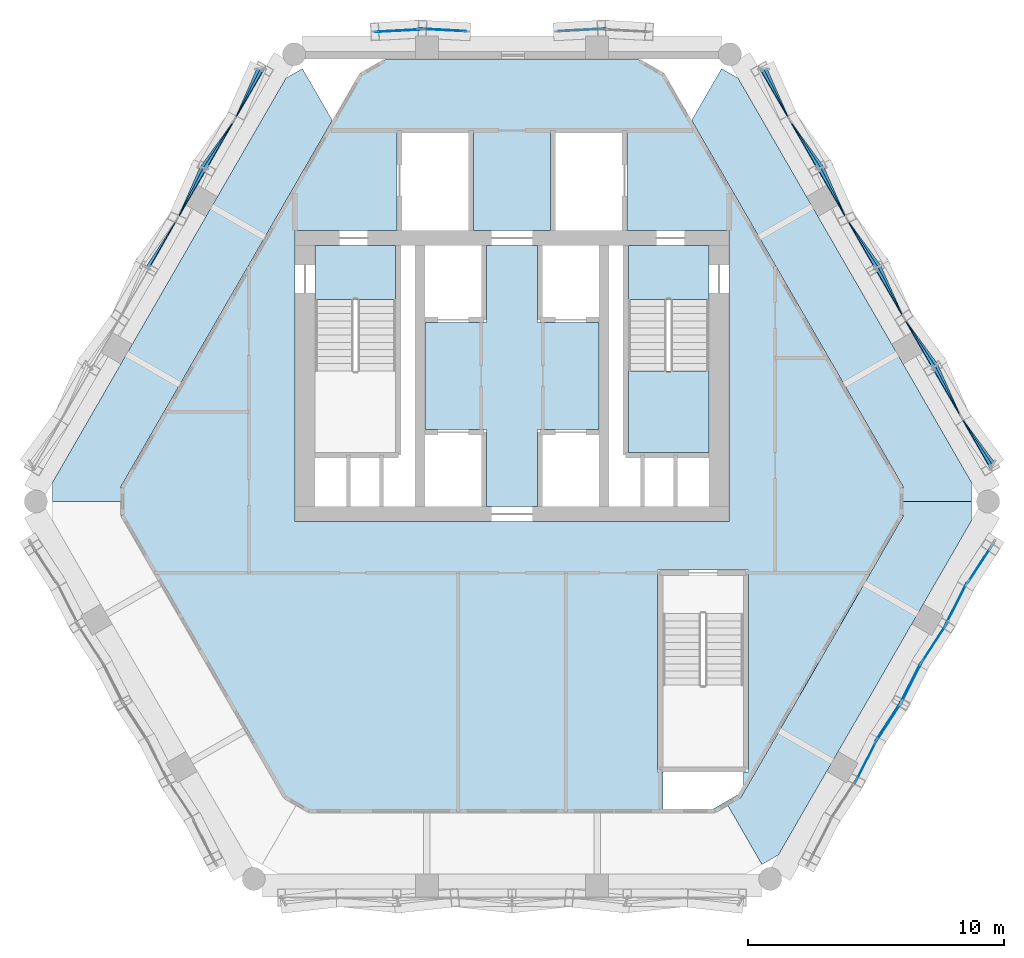
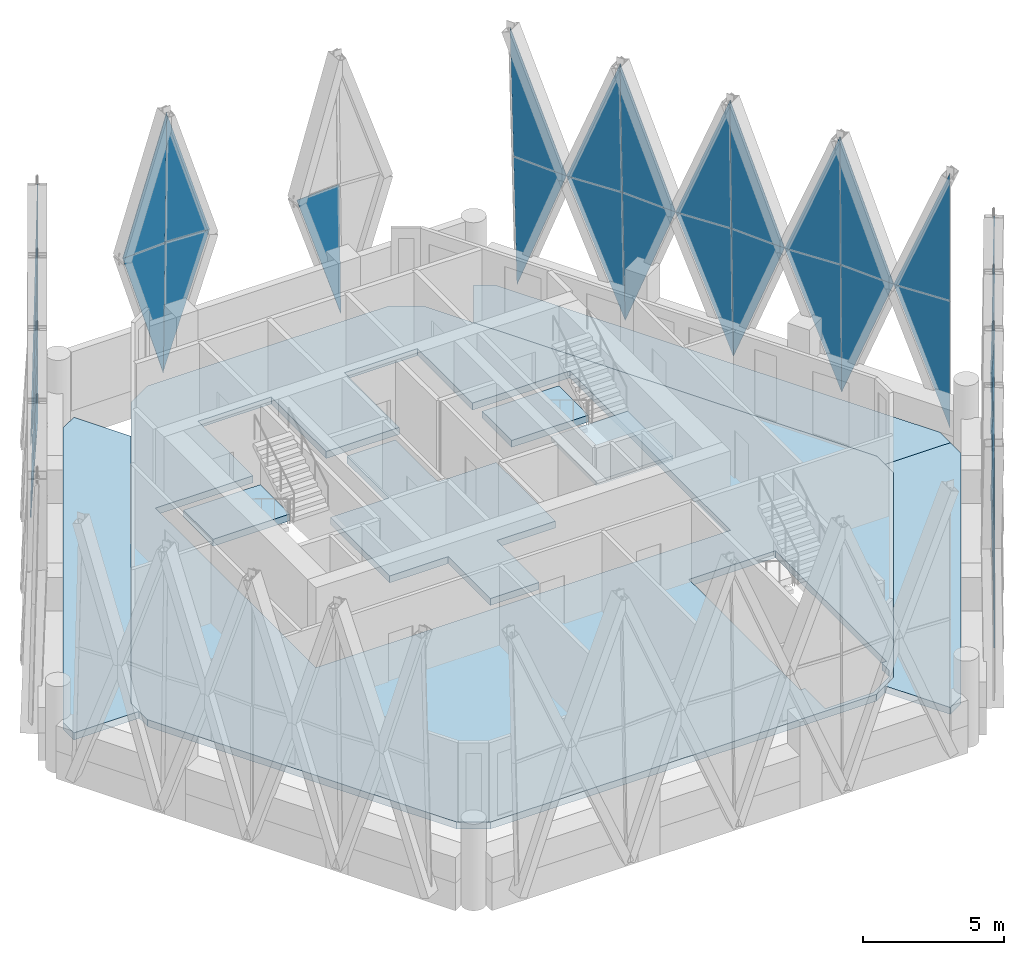
# One storey, part 11 of 21: 40 plates, 8 slabs, 17 elements without a shape of their own.
"""IFC4 building model written with IfcOpenShell, lengths in metres."""

from ifc_helpers import new_model, si_unit, direction, frame, origin, place, context, subcontext, project, spatial, polyline, outline, extrude, material, layer, layer_set, type_object, element, aggregate, save


model = new_model("IFC4")

# Units and contexts
model_context = context("Model", 3, precision=1e-05, world=origin(), true_north=direction((0.0, 1.0)))
body_context = subcontext(model_context, "Body", "Model", "MODEL_VIEW")
ifc_project = project(units=[si_unit("LENGTHUNIT", "METRE"), si_unit("AREAUNIT", "SQUARE_METRE"), si_unit("VOLUMEUNIT", "CUBIC_METRE"), si_unit("PLANEANGLEUNIT", "RADIAN"), si_unit("MASSUNIT", "GRAM", prefix="KILO")], contexts=[model_context])

# Site, building, storey
site_placement = place(None, origin())
site = spatial("IfcSite", under=ifc_project, at=site_placement, CompositionType="ELEMENT")
building_placement = place(site_placement, origin())
building = spatial("IfcBuilding", under=site, at=building_placement, Name="Ostrander Bayou Hotel Tower", CompositionType="ELEMENT")
storey_placement = place(building_placement, frame((0.0, 0.0, 256.25)))
storey = spatial("IfcBuildingStorey", under=building, at=storey_placement, Name="L63", CompositionType="ELEMENT", Elevation=256.25)

# Curtain wall, plate
ifc_material_1 = material(Name="Aluminium and clear glass", Category="aluminium")
curtain_wall_type = type_object("IfcCurtainWallType", Name="CW-LAT lattice glazing", PredefinedType="NOTDEFINED", material=ifc_material_1)
curtain_wall_1_placement = place(storey_placement, origin())
curtain_wall_1 = element("IfcCurtainWall", 1, at=curtain_wall_1_placement, inside=storey, type_object=curtain_wall_type, Name="CW-LAT L63 N 3", PredefinedType="NOTDEFINED")
ifc_material_2 = material(Name="Clear laminated glass", Category="glass")
ifc_layer_1 = layer(ifc_material_2, 0.028076171875)
ifc_layer_set_1 = layer_set([ifc_layer_1], Name="CW-LA glazing panel 28 mm")
plate_type = type_object("IfcPlateType", Name="CW-LA glazing panel 28 mm", PredefinedType="CURTAIN_PANEL", material=ifc_layer_set_1)
plate_1_placement = place(storey_placement, frame((1.789794921875, 17.474365234375, 5.02490234375), z_axis=(0.053402531089, -0.998572838977, 0.000674485093), x_axis=(0.313997869011, 0.016151051654, -0.949286301274)))
plate_1 = element("IfcPlate", 2, at=plate_1_placement, type_object=plate_type, Name="CW-LAT panel 3", PredefinedType="CURTAIN_PANEL", context=body_context, shape_type="SweptSolid", body=[
    extrude(outline(polyline([(0.0, 0.0), (5.925504236655476, -4.440892098500626e-16), (0.5634608379146163, 1.701223962605691), (0.0, 0.0)])), origin(), (0.0, 0.0, -1.0), 0.028076171875),
])

curtain_wall_2_placement = place(storey_placement, origin())
curtain_wall_2 = element("IfcCurtainWall", 3, at=curtain_wall_2_placement, inside=storey, type_object=curtain_wall_type, Name="CW-LAT L63 N 1", PredefinedType="NOTDEFINED")
plate_2_placement = place(storey_placement, frame((-1.789794921875, 17.474365234375, 5.02490234375), z_axis=(-0.053402531089, -0.998572838977, 0.000674485093), x_axis=(-0.313997869011, 0.016151051654, -0.949286301274)))
plate_2 = element("IfcPlate", 4, at=plate_2_placement, type_object=plate_type, Name="CW-LAT panel 5", PredefinedType="CURTAIN_PANEL", context=body_context, shape_type="SweptSolid", body=[
    extrude(outline(polyline([(0.0, 0.0), (5.925504236655476, 4.440892098500626e-16), (0.5634608379146163, -1.701223962605691), (0.0, 0.0)])), origin(), (0.0, 0.0, -1.0), 0.028076171875),
])
aggregate(curtain_wall_2, [plate_2])

curtain_wall_3_placement = place(storey_placement, origin())
curtain_wall_3 = element("IfcCurtainWall", 5, at=curtain_wall_3_placement, inside=storey, type_object=curtain_wall_type, Name="CW-LAT L63 N 2", PredefinedType="NOTDEFINED")
plate_3_placement = place(storey_placement, frame((-1.789794921875, 17.474365234375, 5.02490234375), z_axis=(-0.053402531172, -0.998572840536, 0.000672167276), x_axis=(-0.292179860283, 0.016269105857, 0.956224997289)))
plate_3 = element("IfcPlate", 6, at=plate_3_placement, type_object=plate_type, Name="CW-LAT panel 6", PredefinedType="CURTAIN_PANEL", context=body_context, shape_type="SweptSolid", body=[
    extrude(outline(polyline([(0.0, 0.0), (5.882506748881362, -2.220446049250313e-16), (0.524427701505799, 1.713658855402847), (0.0, 0.0)])), origin(), (0.0, 0.0, -1.0), 0.028076171875),
])
aggregate(curtain_wall_3, [plate_3])

# Plate
plate_4_placement = place(storey_placement, frame((-5.369140625, 17.474365234375, 5.02490234375), z_axis=(-0.053395267381, 0.998573227468, 0.000674393351), x_axis=(0.292179860283, 0.016269105857, -0.956224997289)))
plate_4 = element("IfcPlate", 7, at=plate_4_placement, type_object=plate_type, Name="CW-LAT panel 7", PredefinedType="CURTAIN_PANEL", context=body_context, shape_type="SweptSolid", body=[
    extrude(outline(polyline([(0.0, 0.0), (5.882506748881362, 0.0), (0.5244990344795009, -1.7138919783155455), (0.0, 0.0)])), origin(), (0.0, 0.0, -1.0), 0.028076171875),
])

aggregate(curtain_wall_1, [plate_1, plate_4])

# Curtain wall, plate
curtain_wall_4_placement = place(storey_placement, origin())
curtain_wall_4 = element("IfcCurtainWall", 8, at=curtain_wall_4_placement, inside=storey, type_object=curtain_wall_type, Name="CW-LAT L63 N 4", PredefinedType="NOTDEFINED")
plate_5_placement = place(storey_placement, frame((-5.369140625, 17.474365234375, 5.02490234375), z_axis=(-0.053395267464, 0.998573229026, 0.000672075849), x_axis=(0.313997869011, 0.016151051654, 0.949286301274)))
plate_5 = element("IfcPlate", 9, at=plate_5_placement, type_object=plate_type, Name="CW-LAT panel 8", PredefinedType="CURTAIN_PANEL", context=body_context, shape_type="SweptSolid", body=[
    extrude(outline(polyline([(0.0, 0.0), (5.925504236655476, 0.0), (0.5635374975506053, 1.7014553885890473), (0.0, 0.0)])), origin(), (0.0, 0.0, -1.0), 0.028076171875),
])
aggregate(curtain_wall_4, [plate_5])

curtain_wall_5_placement = place(storey_placement, origin())
curtain_wall_5 = element("IfcCurtainWall", 10, at=curtain_wall_5_placement, inside=storey, type_object=curtain_wall_type, Name="CW-LAT L63 NW 3", PredefinedType="NOTDEFINED")
plate_6_placement = place(storey_placement, frame((-10.864013671875, 14.022705078125, 5.02490234375), z_axis=(-0.89062255556, 0.454190267172, 0.02242018586), x_axis=(0.145248521931, 0.33084610387, -0.93243966155)))
plate_6 = element("IfcPlate", 11, at=plate_6_placement, type_object=plate_type, Name="CW-LAT panel 1", PredefinedType="CURTAIN_PANEL", context=body_context, shape_type="SweptSolid", body=[
    extrude(outline(polyline([(0.0, 0.0), (6.032561925403437, 4.440892098500626e-16), (0.8081562468434205, -2.0895600753106636), (0.0, 0.0)])), origin(), (0.0, 0.0, -1.0), 0.028076171875),
])

curtain_wall_6_placement = place(storey_placement, origin())
curtain_wall_6 = element("IfcCurtainWall", 12, at=curtain_wall_6_placement, inside=storey, type_object=curtain_wall_type, Name="CW-LAT L63 NW 4", PredefinedType="NOTDEFINED")
plate_7_placement = place(storey_placement, frame((-10.864013671875, 14.022705078125, 5.02490234375), z_axis=(-0.890621783026, 0.454189873203, 0.022458821872), x_axis=(0.190728490204, 0.328253769983, 0.925133560907)))
plate_7 = element("IfcPlate", 13, at=plate_7_placement, type_object=plate_type, Name="CW-LAT panel 2", PredefinedType="CURTAIN_PANEL", context=body_context, shape_type="SweptSolid", body=[
    extrude(outline(polyline([(0.0, 0.0), (6.080203159515897, 4.440892098500626e-16), (0.8492728626158839, 2.073189193602111), (0.0, 0.0)])), origin(), (0.0, 0.0, -1.0), 0.028076171875),
])

curtain_wall_7_placement = place(storey_placement, origin())
curtain_wall_7 = element("IfcCurtainWall", 14, at=curtain_wall_7_placement, inside=storey, type_object=curtain_wall_type, Name="CW-LAT L63 NW 1", PredefinedType="NOTDEFINED")
plate_8_placement = place(storey_placement, frame((-10.864013671875, 14.022705078125, 5.02490234375), z_axis=(-0.838683234786, 0.544196253281, 0.021467873749), x_axis=(-0.221280822703, -0.304477265039, -0.926460140847)))
plate_8 = element("IfcPlate", 15, at=plate_8_placement, type_object=plate_type, Name="CW-LAT panel 3", PredefinedType="CURTAIN_PANEL", context=body_context, shape_type="SweptSolid", body=[
    extrude(outline(polyline([(0.0, 0.0), (6.071497036944564, 0.0), (0.8420809803884232, 2.076092677079372), (0.0, 0.0)])), origin(), (0.0, 0.0, -1.0), 0.028076171875),
])
aggregate(curtain_wall_7, [plate_8])

curtain_wall_8_placement = place(storey_placement, origin())
curtain_wall_8 = element("IfcCurtainWall", 16, at=curtain_wall_8_placement, inside=storey, type_object=curtain_wall_type, Name="CW-LAT L63 NW 2", PredefinedType="NOTDEFINED")
plate_9_placement = place(storey_placement, frame((-10.864013671875, 14.022705078125, 5.02490234375), z_axis=(-0.838683234786, 0.544196253281, 0.021467873749), x_axis=(-0.18134811444, -0.316217438685, 0.931192457476)))
plate_9 = element("IfcPlate", 17, at=plate_9_placement, type_object=plate_type, Name="CW-LAT panel 4", PredefinedType="CURTAIN_PANEL", context=body_context, shape_type="SweptSolid", body=[
    extrude(outline(polyline([(0.0, 0.0), (6.040641711429505, -4.440892098500626e-16), (0.8154481627495292, -2.086697264871678), (0.0, 0.0)])), origin(), (0.0, 0.0, -1.0), 0.028076171875),
])

# Plate
plate_10_placement = place(storey_placement, frame((-13.101318359375, 10.147705078125, 5.02490234375), z_axis=(-0.890606009193, 0.454237393238, 0.022120736294), x_axis=(0.147850175557, 0.33519706559, -0.930474745927)))
plate_10 = element("IfcPlate", 18, at=plate_10_placement, type_object=plate_type, Name="CW-LAT panel 5", PredefinedType="CURTAIN_PANEL", context=body_context, shape_type="SweptSolid", body=[
    extrude(outline(polyline([(0.0, 0.0), (6.045301094547259, 4.440892098500626e-16), (0.8194062978589645, -2.0849404476713436), (0.0, 0.0)])), origin(), (0.0, 0.0, -1.0), 0.028076171875),
])

aggregate(curtain_wall_5, [plate_6, plate_10])

plate_11_placement = place(storey_placement, frame((-13.101318359375, 10.147705078125, 5.02490234375), z_axis=(-0.890606009193, 0.454237393238, 0.022120736294), x_axis=(0.188214782527, 0.32387268971, 0.927190205135)))
plate_11 = element("IfcPlate", 19, at=plate_11_placement, type_object=plate_type, Name="CW-LAT panel 6", PredefinedType="CURTAIN_PANEL", context=body_context, shape_type="SweptSolid", body=[
    extrude(outline(polyline([(0.0, 0.0), (6.066716374749943, 0.0), (0.8378913071402052, 2.077580686453788), (0.0, 0.0)])), origin(), (0.0, 0.0, -1.0), 0.028076171875),
])

aggregate(curtain_wall_6, [plate_7, plate_11])

plate_12_placement = place(storey_placement, frame((-13.101318359375, 10.147705078125, 5.02490234375), z_axis=(-0.838710157865, 0.544143036568, 0.021762969655), x_axis=(-0.183901214779, -0.32061724945, 0.9291850852)))
plate_12 = element("IfcPlate", 20, at=plate_12_placement, type_object=plate_type, Name="CW-LAT panel 8", PredefinedType="CURTAIN_PANEL", context=body_context, shape_type="SweptSolid", body=[
    extrude(outline(polyline([(0.0, 0.0), (6.053691659063764, 4.440892098500626e-16), (0.8269088797217964, -2.082402607256189), (0.0, 0.0)])), origin(), (0.0, 0.0, -1.0), 0.028076171875),
])

aggregate(curtain_wall_8, [plate_9, plate_12])

# Curtain wall, plate
curtain_wall_9_placement = place(storey_placement, origin())
curtain_wall_9 = element("IfcCurtainWall", 21, at=curtain_wall_9_placement, inside=storey, type_object=curtain_wall_type, Name="CW-LAT L63 SE 3", PredefinedType="NOTDEFINED")
plate_13_placement = place(storey_placement, frame((14.23828125, -10.287109375, 5.02490234375), z_axis=(-0.891493098439, 0.453033773171, 0.000675131172), x_axis=(-0.143010951676, -0.280006461421, -0.949286178801)))
plate_13 = element("IfcPlate", 22, at=plate_13_placement, type_object=plate_type, Name="CW-LAT panel 5", PredefinedType="CURTAIN_PANEL", context=body_context, shape_type="SweptSolid", body=[
    extrude(outline(polyline([(0.0, 0.0), (5.9255050011393955, -2.220446049250313e-16), (0.5635490027524013, 1.701487940375609), (0.0, 0.0)])), origin(), (0.0, 0.0, -1.0), 0.028076171875),
])

curtain_wall_10_placement = place(storey_placement, origin())
curtain_wall_10 = element("IfcCurtainWall", 23, at=curtain_wall_10_placement, inside=storey, type_object=curtain_wall_type, Name="CW-LAT L63 SE 4", PredefinedType="NOTDEFINED")
plate_14_placement = place(storey_placement, frame((14.23828125, -10.287109375, 5.02490234375), z_axis=(-0.891493086823, 0.453033767269, 0.000694161516), x_axis=(-0.131979086351, -0.26117748126, 0.956225833184)))
plate_14 = element("IfcPlate", 24, at=plate_14_placement, type_object=plate_type, Name="CW-LAT panel 6", PredefinedType="CURTAIN_PANEL", context=body_context, shape_type="SweptSolid", body=[
    extrude(outline(polyline([(0.0, 0.0), (5.882501606622842, 0.0), (0.5245041640745078, -1.7139265070636367), (0.0, 0.0)])), origin(), (0.0, 0.0, -1.0), 0.028076171875),
])

curtain_wall_11_placement = place(storey_placement, origin())
curtain_wall_11 = element("IfcCurtainWall", 25, at=curtain_wall_11_placement, inside=storey, type_object=curtain_wall_type, Name="CW-LAT L63 SE 1", PredefinedType="NOTDEFINED")
plate_15_placement = place(storey_placement, frame((14.23828125, -10.287109375, 5.02490234375), z_axis=(0.838098016362, -0.545519674229, 0.0), x_axis=(0.165623033482, 0.254451566795, -0.952797675761)))
plate_15 = element("IfcPlate", 26, at=plate_15_placement, type_object=plate_type, Name="CW-LAT panel 7", PredefinedType="CURTAIN_PANEL", context=body_context, shape_type="SweptSolid", body=[
    extrude(outline(polyline([(0.0, 0.0), (5.903666794219049, 0.0), (0.5441798680627589, 1.7077836187174915), (0.0, 0.0)])), origin(), (0.0, 0.0, -1.0), 0.028076171875),
])

curtain_wall_12_placement = place(storey_placement, origin())
curtain_wall_12 = element("IfcCurtainWall", 27, at=curtain_wall_12_placement, inside=storey, type_object=curtain_wall_type, Name="CW-LAT L63 SE 2", PredefinedType="NOTDEFINED")
plate_16_placement = place(storey_placement, frame((14.23828125, -10.287109375, 5.02490234375), z_axis=(-0.838098016362, 0.545519674229, 0.0), x_axis=(0.165623033482, 0.254451566795, 0.952797675761)))
plate_16 = element("IfcPlate", 28, at=plate_16_placement, type_object=plate_type, Name="CW-LAT panel 8", PredefinedType="CURTAIN_PANEL", context=body_context, shape_type="SweptSolid", body=[
    extrude(outline(polyline([(0.0, 0.0), (5.903666794219049, 0.0), (0.5441798680627589, 1.7077836187174915), (0.0, 0.0)])), origin(), (0.0, 0.0, -1.0), 0.028076171875),
])

# Plate
plate_17_placement = place(storey_placement, frame((16.028076171875, -7.187255859375, 5.02490234375), z_axis=(-0.891465340856, 0.453088894206, 0.0), x_axis=(-0.137545177887, -0.270624066173, -0.952808448141)))
plate_17 = element("IfcPlate", 29, at=plate_17_placement, type_object=plate_type, Name="CW-LAT panel 9", PredefinedType="CURTAIN_PANEL", context=body_context, shape_type="SweptSolid", body=[
    extrude(outline(polyline([(0.0, 0.0), (5.903600047814163, 4.440892098500626e-16), (0.5440525270238457, 1.707593444702327), (0.0, 0.0)])), origin(), (0.0, 0.0, -1.0), 0.028076171875),
])

plate_18_placement = place(storey_placement, frame((16.028076171875, -7.187255859375, 5.02490234375), z_axis=(0.891465340856, -0.453088894206, 0.0), x_axis=(-0.137545177887, -0.270624066173, 0.952808448141)))
plate_18 = element("IfcPlate", 30, at=plate_18_placement, type_object=plate_type, Name="CW-LAT panel 10", PredefinedType="CURTAIN_PANEL", context=body_context, shape_type="SweptSolid", body=[
    extrude(outline(polyline([(0.0, 0.0), (5.903600047814163, 4.440892098500626e-16), (0.5440525270238457, 1.707593444702327), (0.0, 0.0)])), origin(), (0.0, 0.0, -1.0), 0.028076171875),
])

plate_19_placement = place(storey_placement, frame((16.028076171875, -7.187255859375, 5.02490234375), z_axis=(-0.838097829117, 0.54551955235, 0.000668455834), x_axis=(0.170986839235, 0.263855353846, -0.949285970114)))
plate_19 = element("IfcPlate", 31, at=plate_19_placement, type_object=plate_type, Name="CW-LAT panel 11", PredefinedType="CURTAIN_PANEL", context=body_context, shape_type="SweptSolid", body=[
    extrude(outline(polyline([(0.0, 0.0), (5.9255063037795335, -2.220446049250313e-16), (0.5635508504272266, -1.701489657960742), (0.0, 0.0)])), origin(), (0.0, 0.0, -1.0), 0.028076171875),
])

plate_20_placement = place(storey_placement, frame((16.028076171875, -7.187255859375, 5.02490234375), z_axis=(-0.838097815617, 0.545519543564, 0.000692132887), x_axis=(0.160200042577, 0.244906852654, 0.956219943256)))
plate_20 = element("IfcPlate", 32, at=plate_20_placement, type_object=plate_type, Name="CW-LAT panel 12", PredefinedType="CURTAIN_PANEL", context=body_context, shape_type="SweptSolid", body=[
    extrude(outline(polyline([(0.0, 0.0), (5.882537840451157, 0.0), (0.5245393151617064, 1.713918062223017), (0.0, 0.0)])), origin(), (0.0, 0.0, -1.0), 0.028076171875),
])

plate_21_placement = place(storey_placement, frame((17.81787109375, -4.08740234375, 5.02490234375), z_axis=(0.891465138156, -0.453088791184, 0.000674355835), x_axis=(-0.132019865957, -0.261176050445, -0.956220594668)))
plate_21 = element("IfcPlate", 33, at=plate_21_placement, type_object=plate_type, Name="CW-LAT panel 13", PredefinedType="CURTAIN_PANEL", context=body_context, shape_type="SweptSolid", body=[
    extrude(outline(polyline([(0.0, 0.0), (5.882533833057464, 2.220446049250313e-16), (0.5244712276077235, -1.7137089764493385), (0.0, 0.0)])), origin(), (0.0, 0.0, -1.0), 0.028076171875),
])

aggregate(curtain_wall_9, [plate_13, plate_17, plate_21])

plate_22_placement = place(storey_placement, frame((17.81787109375, -4.08740234375, 5.02490234375), z_axis=(0.891465149806, -0.453088797105, 0.000654690532), x_axis=(-0.143010951676, -0.280006461421, 0.949286178801)))
plate_22 = element("IfcPlate", 34, at=plate_22_placement, type_object=plate_type, Name="CW-LAT panel 14", PredefinedType="CURTAIN_PANEL", context=body_context, shape_type="SweptSolid", body=[
    extrude(outline(polyline([(0.0, 0.0), (5.9255050011393955, -2.220446049250313e-16), (0.563480641799906, 1.7012813085636833), (0.0, 0.0)])), origin(), (0.0, 0.0, -1.0), 0.028076171875),
])

aggregate(curtain_wall_10, [plate_14, plate_18, plate_22])

plate_23_placement = place(storey_placement, frame((17.81787109375, -4.08740234375, 5.02490234375), z_axis=(-0.838159558755, 0.545423512637, 0.0013213366), x_axis=(0.176286692119, 0.273193066996, -0.945668308831)))
plate_23 = element("IfcPlate", 35, at=plate_23_placement, type_object=plate_type, Name="CW-LAT panel 15", PredefinedType="CURTAIN_PANEL", context=body_context, shape_type="SweptSolid", body=[
    extrude(outline(polyline([(0.0, 0.0), (5.94817437305664, -2.220446049250313e-16), (0.5827170059740399, -1.6948805664450983), (0.0, 0.0)])), origin(), (0.0, 0.0, -1.0), 0.028076171875),
])

aggregate(curtain_wall_11, [plate_15, plate_19, plate_23])

plate_24_placement = place(storey_placement, frame((17.81787109375, -4.08740234375, 5.02490234375), z_axis=(-0.838159517912, 0.545423486059, 0.001357714987), x_axis=(0.154675111336, 0.235302740724, 0.95953542412)))
plate_24 = element("IfcPlate", 36, at=plate_24_placement, type_object=plate_type, Name="CW-LAT panel 16", PredefinedType="CURTAIN_PANEL", context=body_context, shape_type="SweptSolid", body=[
    extrude(outline(polyline([(0.0, 0.0), (5.862211919022257, -2.220446049250313e-16), (0.5046720970369244, 1.7197340835248218), (0.0, 0.0)])), origin(), (0.0, 0.0, -1.0), 0.028076171875),
])

aggregate(curtain_wall_12, [plate_16, plate_20, plate_24])

# Curtain wall, plate
curtain_wall_13_placement = place(storey_placement, origin())
curtain_wall_13 = element("IfcCurtainWall", 37, at=curtain_wall_13_placement, inside=storey, type_object=curtain_wall_type, Name="CW-LAT L63 NE 3", PredefinedType="NOTDEFINED")
plate_25_placement = place(storey_placement, frame((17.576171875, 2.397216796875, 5.02490234375), z_axis=(0.838714917544, 0.544107858953, 0.02244827197), x_axis=(0.213886074507, -0.291225012707, -0.932438061807)))
plate_25 = element("IfcPlate", 38, at=plate_25_placement, type_object=plate_type, Name="CW-LAT panel 1", PredefinedType="CURTAIN_PANEL", context=body_context, shape_type="SweptSolid", body=[
    extrude(outline(polyline([(0.0, 0.0), (6.032572275203838, 0.0), (0.8081047861096888, -2.089409592498435), (0.0, 0.0)])), origin(), (0.0, 0.0, -1.0), 0.028076171875),
])

curtain_wall_14_placement = place(storey_placement, origin())
curtain_wall_14 = element("IfcCurtainWall", 39, at=curtain_wall_14_placement, inside=storey, type_object=curtain_wall_type, Name="CW-LAT L63 NE 4", PredefinedType="NOTDEFINED")
plate_26_placement = place(storey_placement, frame((17.576171875, 2.397216796875, 5.02490234375), z_axis=(0.838715158221, 0.544108015089, 0.022435491644), x_axis=(0.188882822207, -0.329300175365, 0.925140353665)))
plate_26 = element("IfcPlate", 40, at=plate_26_placement, type_object=plate_type, Name="CW-LAT panel 2", PredefinedType="CURTAIN_PANEL", context=body_context, shape_type="SweptSolid", body=[
    extrude(outline(polyline([(0.0, 0.0), (6.080158516180518, 0.0), (0.8491781162254626, 2.0730562745573593), (0.0, 0.0)])), origin(), (0.0, 0.0, -1.0), 0.028076171875),
])

curtain_wall_15_placement = place(storey_placement, origin())
curtain_wall_15 = element("IfcCurtainWall", 41, at=curtain_wall_15_placement, inside=storey, type_object=curtain_wall_type, Name="CW-LAT L63 NE 1", PredefinedType="NOTDEFINED")
plate_27_placement = place(storey_placement, frame((17.576171875, 2.397216796875, 5.02490234375), z_axis=(0.890597137772, 0.454286246423, 0.021464959892), x_axis=(-0.15308160692, 0.343880720353, -0.926451332663)))
plate_27 = element("IfcPlate", 42, at=plate_27_placement, type_object=plate_type, Name="CW-LAT panel 3", PredefinedType="CURTAIN_PANEL", context=body_context, shape_type="SweptSolid", body=[
    extrude(outline(polyline([(0.0, 0.0), (6.071554761364602, -4.440892098500626e-16), (0.842181442808327, 2.076199722610138), (0.0, 0.0)])), origin(), (0.0, 0.0, -1.0), 0.028076171875),
])

curtain_wall_16_placement = place(storey_placement, origin())
curtain_wall_16 = element("IfcCurtainWall", 43, at=curtain_wall_16_placement, inside=storey, type_object=curtain_wall_type, Name="CW-LAT L63 NE 2", PredefinedType="NOTDEFINED")
plate_28_placement = place(storey_placement, frame((17.576171875, 2.397216796875, 5.02490234375), z_axis=(0.890596760671, 0.454286054067, 0.02148466808), x_axis=(-0.183208290592, 0.315127959794, 0.931197664953)))
plate_28 = element("IfcPlate", 44, at=plate_28_placement, type_object=plate_type, Name="CW-LAT panel 4", PredefinedType="CURTAIN_PANEL", context=body_context, shape_type="SweptSolid", body=[
    extrude(outline(polyline([(0.0, 0.0), (6.04060793073505, 0.0), (0.8154662214549661, -2.0868372510675313), (0.0, 0.0)])), origin(), (0.0, 0.0, -1.0), 0.028076171875),
])

# Plate
plate_29_placement = place(storey_placement, frame((15.3388671875, 6.2724609375, 5.02490234375), z_axis=(0.83872110345, 0.544111871997, 0.022117445152), x_axis=(0.216343178657, -0.295659587632, -0.930473555395)))
plate_29 = element("IfcPlate", 45, at=plate_29_placement, type_object=plate_type, Name="CW-LAT panel 5", PredefinedType="CURTAIN_PANEL", context=body_context, shape_type="SweptSolid", body=[
    extrude(outline(polyline([(0.0, 0.0), (6.045308829449653, 4.440892098500626e-16), (0.8194348974134258, -2.084992143740333), (0.0, 0.0)])), origin(), (0.0, 0.0, -1.0), 0.028076171875),
])

plate_30_placement = place(storey_placement, frame((15.3388671875, 6.2724609375, 5.02490234375), z_axis=(0.838720665132, 0.544111587642, 0.022141049547), x_axis=(0.186360104934, -0.324993350777, 0.927172709499)))
plate_30 = element("IfcPlate", 46, at=plate_30_placement, type_object=plate_type, Name="CW-LAT panel 6", PredefinedType="CURTAIN_PANEL", context=body_context, shape_type="SweptSolid", body=[
    extrude(outline(polyline([(0.0, 0.0), (6.066830852949581, 0.0), (0.8380081001775215, 2.0775967401290183), (0.0, 0.0)])), origin(), (0.0, 0.0, -1.0), 0.028076171875),
])

plate_31_placement = place(storey_placement, frame((15.3388671875, 6.2724609375, 5.02490234375), z_axis=(0.890568507359, 0.454327217481, 0.021783322895), x_axis=(-0.150513181786, 0.339551290423, -0.928466856318)))
plate_31 = element("IfcPlate", 47, at=plate_31_placement, type_object=plate_type, Name="CW-LAT panel 7", PredefinedType="CURTAIN_PANEL", context=body_context, shape_type="SweptSolid", body=[
    extrude(outline(polyline([(0.0, 0.0), (6.058374579257302, 0.0), (0.8308428261624163, 2.080528921369311), (0.0, 0.0)])), origin(), (0.0, 0.0, -1.0), 0.028076171875),
])

plate_32_placement = place(storey_placement, frame((15.3388671875, 6.2724609375, 5.02490234375), z_axis=(0.890568889727, 0.454327412547, 0.021763613176), x_axis=(-0.185718467953, 0.319532556263, 0.929197285914)))
plate_32 = element("IfcPlate", 48, at=plate_32_placement, type_object=plate_type, Name="CW-LAT panel 8", PredefinedType="CURTAIN_PANEL", context=body_context, shape_type="SweptSolid", body=[
    extrude(outline(polyline([(0.0, 0.0), (6.053612171788315, -4.440892098500626e-16), (0.8267346499646425, -2.082164790065267), (0.0, 0.0)])), origin(), (0.0, 0.0, -1.0), 0.028076171875),
])

plate_33_placement = place(storey_placement, frame((13.101318359375, 10.147705078125, 5.02490234375), z_axis=(0.838709726549, 0.544142756736, 0.02178657577), x_axis=(0.218819247618, -0.300100725048, -0.928470619728)))
plate_33 = element("IfcPlate", 49, at=plate_33_placement, type_object=plate_type, Name="CW-LAT panel 9", PredefinedType="CURTAIN_PANEL", context=body_context, shape_type="SweptSolid", body=[
    extrude(outline(polyline([(0.0, 0.0), (6.05835002258902, 0.0), (0.830927154296583, -2.0808024842167776), (0.0, 0.0)])), origin(), (0.0, 0.0, -1.0), 0.028076171875),
])

plate_34_placement = place(storey_placement, frame((13.101318359375, 10.147705078125, 5.02490234375), z_axis=(0.838710157865, 0.544143036568, 0.021762969655), x_axis=(0.183901214779, -0.32061724945, 0.9291850852)))
plate_34 = element("IfcPlate", 50, at=plate_34_placement, type_object=plate_type, Name="CW-LAT panel 10", PredefinedType="CURTAIN_PANEL", context=body_context, shape_type="SweptSolid", body=[
    extrude(outline(polyline([(0.0, 0.0), (6.053691659063764, -4.440892098500626e-16), (0.8269088797217964, 2.082402607256189), (0.0, 0.0)])), origin(), (0.0, 0.0, -1.0), 0.028076171875),
])

plate_35_placement = place(storey_placement, frame((13.101318359375, 10.147705078125, 5.02490234375), z_axis=(0.890606009193, 0.454237393238, 0.022120736294), x_axis=(-0.147850175557, 0.33519706559, -0.930474745927)))
plate_35 = element("IfcPlate", 51, at=plate_35_placement, type_object=plate_type, Name="CW-LAT panel 11", PredefinedType="CURTAIN_PANEL", context=body_context, shape_type="SweptSolid", body=[
    extrude(outline(polyline([(0.0, 0.0), (6.045301094547259, -4.440892098500626e-16), (0.8194062978589645, 2.0849404476713436), (0.0, 0.0)])), origin(), (0.0, 0.0, -1.0), 0.028076171875),
])

plate_36_placement = place(storey_placement, frame((13.101318359375, 10.147705078125, 5.02490234375), z_axis=(0.890606009193, 0.454237393238, 0.022120736294), x_axis=(-0.188214782527, 0.32387268971, 0.927190205135)))
plate_36 = element("IfcPlate", 52, at=plate_36_placement, type_object=plate_type, Name="CW-LAT panel 12", PredefinedType="CURTAIN_PANEL", context=body_context, shape_type="SweptSolid", body=[
    extrude(outline(polyline([(0.0, 0.0), (6.066716374749943, 0.0), (0.8378913071402052, -2.077580686453788), (0.0, 0.0)])), origin(), (0.0, 0.0, -1.0), 0.028076171875),
])

plate_37_placement = place(storey_placement, frame((10.864013671875, 14.022705078125, 5.02490234375), z_axis=(0.838683234786, 0.544196253281, 0.021467873749), x_axis=(0.221280822703, -0.304477265039, -0.926460140847)))
plate_37 = element("IfcPlate", 53, at=plate_37_placement, type_object=plate_type, Name="CW-LAT panel 13", PredefinedType="CURTAIN_PANEL", context=body_context, shape_type="SweptSolid", body=[
    extrude(outline(polyline([(0.0, 0.0), (6.071497036944564, 0.0), (0.8420809803884232, -2.076092677079372), (0.0, 0.0)])), origin(), (0.0, 0.0, -1.0), 0.028076171875),
])

aggregate(curtain_wall_13, [plate_25, plate_29, plate_33, plate_37])

plate_38_placement = place(storey_placement, frame((10.864013671875, 14.022705078125, 5.02490234375), z_axis=(0.838683234786, 0.544196253281, 0.021467873749), x_axis=(0.18134811444, -0.316217438685, 0.931192457476)))
plate_38 = element("IfcPlate", 54, at=plate_38_placement, type_object=plate_type, Name="CW-LAT panel 14", PredefinedType="CURTAIN_PANEL", context=body_context, shape_type="SweptSolid", body=[
    extrude(outline(polyline([(0.0, 0.0), (6.040641711429505, 4.440892098500626e-16), (0.8154481627495292, 2.086697264871678), (0.0, 0.0)])), origin(), (0.0, 0.0, -1.0), 0.028076171875),
])

aggregate(curtain_wall_14, [plate_26, plate_30, plate_34, plate_38])

plate_39_placement = place(storey_placement, frame((10.864013671875, 14.022705078125, 5.02490234375), z_axis=(0.89062255556, 0.454190267172, 0.02242018586), x_axis=(-0.145248521931, 0.33084610387, -0.93243966155)))
plate_39 = element("IfcPlate", 55, at=plate_39_placement, type_object=plate_type, Name="CW-LAT panel 15", PredefinedType="CURTAIN_PANEL", context=body_context, shape_type="SweptSolid", body=[
    extrude(outline(polyline([(0.0, 0.0), (6.032561925403437, -4.440892098500626e-16), (0.8081562468434205, 2.0895600753106636), (0.0, 0.0)])), origin(), (0.0, 0.0, -1.0), 0.028076171875),
])

aggregate(curtain_wall_15, [plate_27, plate_31, plate_35, plate_39])

plate_40_placement = place(storey_placement, frame((10.864013671875, 14.022705078125, 5.02490234375), z_axis=(0.890621783026, 0.454189873203, 0.022458821872), x_axis=(-0.190728490204, 0.328253769983, 0.925133560907)))
plate_40 = element("IfcPlate", 56, at=plate_40_placement, type_object=plate_type, Name="CW-LAT panel 16", PredefinedType="CURTAIN_PANEL", context=body_context, shape_type="SweptSolid", body=[
    extrude(outline(polyline([(0.0, 0.0), (6.080203159515897, -4.440892098500626e-16), (0.8492728626158839, -2.073189193602111), (0.0, 0.0)])), origin(), (0.0, 0.0, -1.0), 0.028076171875),
])

aggregate(curtain_wall_16, [plate_28, plate_32, plate_36, plate_40])

# Slabs
ifc_material_3 = material(Name="Concrete f'c 40 MPa", Category="concrete")
ifc_layer_2 = layer(ifc_material_3, 0.300048828125)
ifc_layer_set_2 = layer_set([ifc_layer_2], Name="SL1 floor slab 300 mm f'c 40 MPa")
slab_type_1 = type_object("IfcSlabType", Name="SL1 floor slab 300 mm f'c 40 MPa", PredefinedType="FLOOR", material=ifc_layer_set_2)
slab_1_placement = place(storey_placement, frame((0.0, 0.0, -0.300048828125)))
element("IfcSlab", 57, at=slab_1_placement, inside=storey, type_object=slab_type_1, Name="SL1 L63 1", PredefinedType="FLOOR", context=body_context, shape_type="SweptSolid", body=[
    extrude(outline(polyline([(-2.909423828125, 16.39990234375), (2.909423828125, 16.39990234375), (3.74951171875, 16.39990234375), (4.952392578125, 16.39990234375), (5.99169921875, 15.800048828125), (15.29345703125, -0.31103515625), (15.29345703125, -1.510986328125), (8.955322265625, -12.489013671875), (7.916015625, -13.089111328125), (-7.916015625, -13.089111328125), (-8.955322265625, -12.489013671875), (-15.29345703125, -1.510986328125), (-15.29345703125, -0.31103515625), (-5.99169921875, 15.800048828125), (-4.952392578125, 16.39990234375), (-3.74951171875, 16.39990234375), (-2.909423828125, 16.39990234375)]), holes=[polyline([(9.050048828125, -12.02490234375), (9.050048828125, -11.5), (9.25, -11.5), (9.25, -3.60009765625), (5.699951171875, -3.60009765625), (5.699951171875, -11.5), (5.89990234375, -11.5), (5.89990234375, -12.93896484375), (7.8759765625, -12.93896484375), (8.845458984375, -12.379150390625), (9.050048828125, -12.02490234375)]), polyline([(-8.5, -1.699951171875), (8.5, -1.699951171875), (8.5, 9.699951171875), (4.5, 9.699951171875), (4.5, 13.60009765625), (1.5, 13.60009765625), (1.5, 9.699951171875), (-1.5, 9.699951171875), (-1.5, 13.60009765625), (-4.5, 13.60009765625), (-4.5, 9.699951171875), (-8.5, 9.699951171875), (-8.5, -1.699951171875)])]), origin(), (0.0, 0.0, 1.0), 0.300048828125),
])
slab_2_placement = place(storey_placement, frame((0.0, 0.0, -0.300048828125)))
element("IfcSlab", 58, at=slab_2_placement, inside=storey, type_object=slab_type_1, Name="cslab:L63:001", PredefinedType="FLOOR", context=body_context, shape_type="SweptSolid", body=[
    extrude(outline(polyline([(-3.39990234375, 6.10009765625), (-1.0, 6.10009765625), (-1.0, 9.10009765625), (1.0, 9.10009765625), (1.0, 6.10009765625), (3.39990234375, 6.10009765625), (3.39990234375, 1.89990234375), (1.0, 1.89990234375), (1.0, -1.10009765625), (-1.0, -1.10009765625), (-1.0, 1.89990234375), (-3.39990234375, 1.89990234375), (-3.39990234375, 6.10009765625)])), origin(), (0.0, 0.0, 1.0), 0.300048828125),
])
slab_3_placement = place(storey_placement, frame((0.0, 0.0, -0.300048828125)))
element("IfcSlab", 59, at=slab_3_placement, inside=storey, type_object=slab_type_1, Name="cslab:L63:002", PredefinedType="FLOOR", context=body_context, shape_type="SweptSolid", body=[
    extrude(outline(polyline([(-4.550048828125, 7.0), (-4.550048828125, 9.10009765625), (-7.699951171875, 9.10009765625), (-7.699951171875, 7.0), (-4.550048828125, 7.0)])), origin(), (0.0, 0.0, 1.0), 0.300048828125),
])
slab_4_placement = place(storey_placement, frame((0.0, 0.0, -0.300048828125)))
element("IfcSlab", 60, at=slab_4_placement, inside=storey, type_object=slab_type_1, Name="cslab:L63:003", PredefinedType="FLOOR", context=body_context, shape_type="SweptSolid", body=[
    extrude(outline(polyline([(7.699951171875, 7.0), (7.699951171875, 9.10009765625), (4.550048828125, 9.10009765625), (4.550048828125, 7.0), (7.699951171875, 7.0)])), origin(), (0.0, 0.0, 1.0), 0.300048828125),
])
ifc_material_4 = material(Name="Concrete f'c 40 MPa", Category="concrete")
ifc_layer_3 = layer(ifc_material_4, 0.300048828125)
ifc_layer_set_3 = layer_set([ifc_layer_3], Name="SL4 loggia slab 300 mm f'c 40 MPa")
slab_type_2 = type_object("IfcSlabType", Name="SL4 loggia slab 300 mm f'c 40 MPa", PredefinedType="FLOOR", material=ifc_layer_set_3)
slab_5_placement = place(storey_placement, frame((0.0, 0.0, -0.300048828125)))
element("IfcSlab", 61, at=slab_5_placement, inside=storey, type_object=slab_type_2, Name="SL4 LOGGIA L63 NW 1", PredefinedType="FLOOR", context=body_context, shape_type="SweptSolid", body=[
    extrude(outline(polyline([(-17.97802734375, -0.910888671875), (-17.97802734375, -0.160888671875), (-10.10205078125, 13.48095703125), (-9.174072265625, 15.088134765625), (-8.849609375, 15.64990234375), (-8.2001953125, 16.02490234375), (-7.031005859375, 14.0), (-15.29345703125, -0.31103515625), (-15.29345703125, -0.910888671875), (-17.97802734375, -0.910888671875)])), origin(), (0.0, 0.0, 1.0), 0.300048828125),
])
slab_6_placement = place(storey_placement, frame((0.0, 0.0, -0.300048828125)))
element("IfcSlab", 62, at=slab_6_placement, inside=storey, type_object=slab_type_2, Name="SL4 LOGGIA L63 SE 1", PredefinedType="FLOOR", context=body_context, shape_type="SweptSolid", body=[
    extrude(outline(polyline([(15.29345703125, -0.910888671875), (17.97802734375, -0.910888671875), (17.97802734375, -1.660888671875), (16.077392578125, -4.952880859375), (15.657470703125, -5.680419921875), (12.748046875, -10.719482421875), (12.328125, -11.447021484375), (10.427490234375, -14.739013671875), (9.778076171875, -15.114013671875), (8.435791015625, -12.7890625), (8.955322265625, -12.489013671875), (15.29345703125, -1.510986328125), (15.29345703125, -0.910888671875)])), origin(), (0.0, 0.0, 1.0), 0.300048828125),
])
slab_7_placement = place(storey_placement, frame((0.0, 0.0, -0.300048828125)))
element("IfcSlab", 63, at=slab_7_placement, inside=storey, type_object=slab_type_2, Name="SL4 LOGGIA L63 NE 1", PredefinedType="FLOOR", context=body_context, shape_type="SweptSolid", body=[
    extrude(outline(polyline([(8.2001953125, 16.02490234375), (8.849609375, 15.64990234375), (17.97802734375, -0.160888671875), (17.97802734375, -0.910888671875), (15.29345703125, -0.910888671875), (15.29345703125, -0.31103515625), (7.031005859375, 14.0), (8.2001953125, 16.02490234375)])), origin(), (0.0, 0.0, 1.0), 0.300048828125),
])

# Stair, slab
ifc_material_5 = material(Name="Concrete f'c 45 MPa", Category="concrete")
stair_type = type_object("IfcStairType", Name="ST1 exit stair 1500 mm f'c 45 MPa", PredefinedType="HALF_TURN_STAIR", material=ifc_material_5)
stair_placement = place(storey_placement, origin())
stair = element("IfcStair", 64, at=stair_placement, inside=storey, type_object=stair_type, Name="L63 exit stair B", PredefinedType="HALF_TURN_STAIR")
ifc_material_6 = material(Name="Concrete f'c 45 MPa", Category="concrete")
ifc_layer_4 = layer(ifc_material_6, 0.199951171875)
ifc_layer_set_4 = layer_set([ifc_layer_4], Name="SL8 stair landing 200 mm f'c 45 MPa")
slab_type_3 = type_object("IfcSlabType", Name="SL8 stair landing 200 mm f'c 45 MPa", PredefinedType="LANDING", material=ifc_layer_set_4)
slab_8_placement = place(storey_placement, frame((0.0, 0.0, 1.675048828125)))
slab_8 = element("IfcSlab", 65, at=slab_8_placement, type_object=slab_type_3, Name="STB landing 1", PredefinedType="LANDING", context=body_context, shape_type="SweptSolid", body=[
    extrude(outline(polyline([(4.550048828125, 4.199951171875), (4.550048828125, 1.0), (7.699951171875, 1.0), (7.699951171875, 4.199951171875), (4.550048828125, 4.199951171875)])), origin(), (0.0, 0.0, 1.0), 0.199951171875),
])
aggregate(stair, [slab_8])

save(model, "model.ifc")
